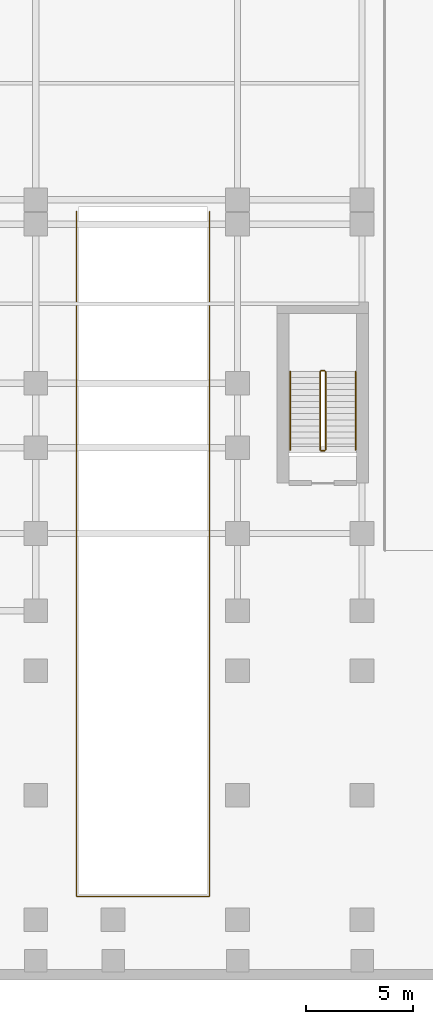
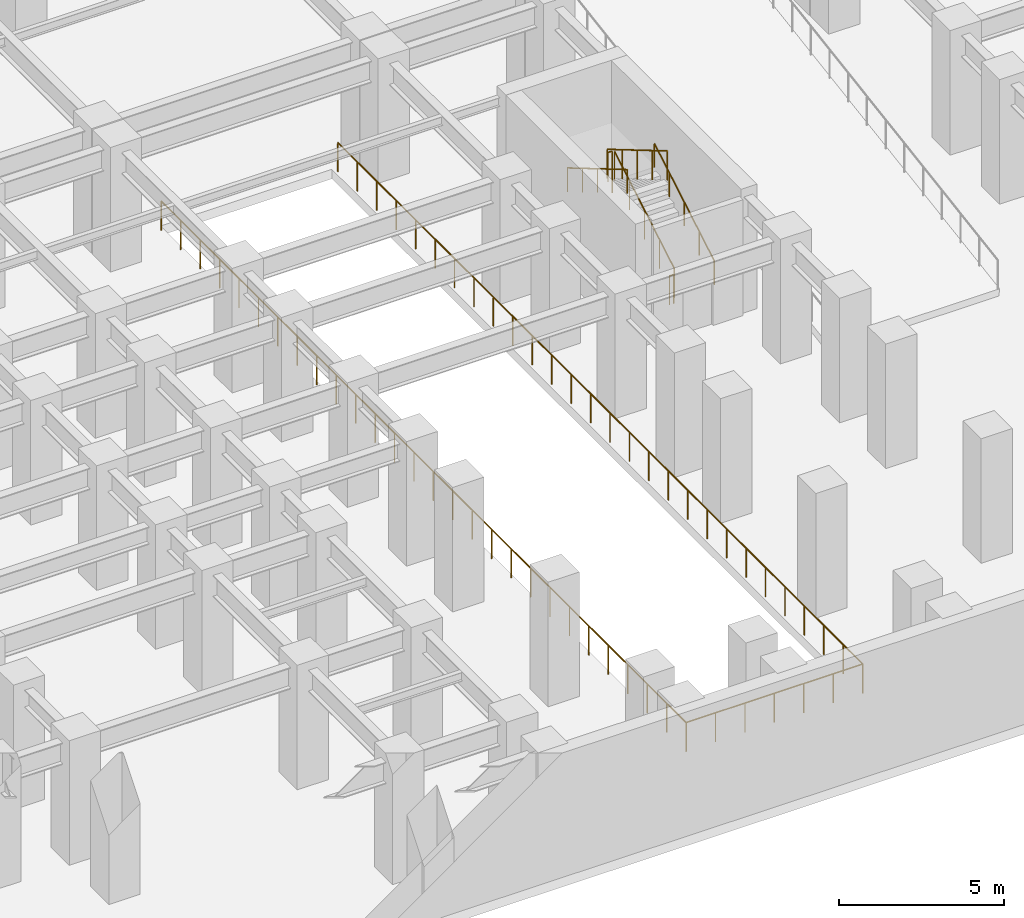
# One storey, part 10 of 12: 7 railings.
"""IFC4 building model written with IfcOpenShell, lengths in metres."""

from ifc_helpers import new_model, si_unit, direction, frame, origin, origin_2d, place, context, subcontext, project, spatial, circle, extrude, material, type_object, element, save


model = new_model("IFC4")

# Units and contexts
model_context = context("Model", 3, precision=1e-05, world=origin(), true_north=direction((0.0, 1.0)))
body_context = subcontext(model_context, "Body", "Model", "MODEL_VIEW")
ifc_project = project(units=[si_unit("LENGTHUNIT", "METRE"), si_unit("AREAUNIT", "SQUARE_METRE"), si_unit("VOLUMEUNIT", "CUBIC_METRE"), si_unit("PLANEANGLEUNIT", "RADIAN"), si_unit("MASSUNIT", "GRAM", prefix="KILO")], contexts=[model_context])

# Site, building, storey
site_placement = place(None, origin())
site = spatial("IfcSite", under=ifc_project, at=site_placement, CompositionType="ELEMENT")
building_placement = place(site_placement, origin())
building = spatial("IfcBuilding", under=site, at=building_placement, Name="Kefirva Bronze Tower", CompositionType="ELEMENT")
storey_placement = place(building_placement, frame((0.0, 0.0, -4.6201171875)))
storey = spatial("IfcBuildingStorey", under=building, at=storey_placement, Name="B1", CompositionType="ELEMENT", Elevation=-4.6201171875)

# Railings
ifc_material = material(Name="Stainless steel 316", Category="steel")
railing_type_1 = type_object("IfcRailingType", Name="Interior Stair Guardrail 1100mm", PredefinedType="GUARDRAIL", material=ifc_material)
railing_1_placement = place(storey_placement, frame((53.5, 22.699951171875, 0.1650390625)))
element("IfcRailing", 1, at=railing_1_placement, inside=storey, type_object=railing_type_1, Name="B1 ST-4 stair guard 1", PredefinedType="GUARDRAIL", context=body_context, shape_type="SweptSolid", body=[
    extrude(circle(Radius=0.02392578125, at=origin_2d()), frame((0.0, 0.0, 1.076171875), z_axis=(0.0, 0.861544779993, 0.507681585313), x_axis=(-1.0, 0.0, 0.0)), (0.0, 0.0, 1.0), 4.22509765625),
    extrude(circle(Radius=0.02099609375, at=origin_2d()), origin(), (0.0, 0.0, 1.0), 1.052001953125),
    extrude(circle(Radius=0.02099609375, at=origin_2d()), frame((0.0, 0.91015625, 0.5361328125)), (0.0, 0.0, 1.0), 1.052001953125),
    extrude(circle(Radius=0.02099609375, at=origin_2d()), frame((0.0, 1.820068359375, 1.072509765625)), (0.0, 0.0, 1.0), 1.052001953125),
    extrude(circle(Radius=0.02099609375, at=origin_2d()), frame((0.0, 2.72998046875, 1.60888671875)), (0.0, 0.0, 1.0), 1.052001953125),
    extrude(circle(Radius=0.02099609375, at=origin_2d()), frame((0.0, 3.64013671875, 2.14501953125)), (0.0, 0.0, 1.0), 1.052001953125),
])
railing_2_placement = place(storey_placement, frame((53.449951171875, 26.389892578125, 2.31005859375)))
element("IfcRailing", 2, at=railing_2_placement, inside=storey, type_object=railing_type_1, Name="B1 ST-4 stair guard 2", PredefinedType="GUARDRAIL", context=body_context, shape_type="SweptSolid", body=[
    extrude(circle(Radius=0.02392578125, at=origin_2d()), frame((0.0, 0.0, 1.076171875), z_axis=(-1.0, 0.0, 0.0), x_axis=(0.0, -1.0, 0.0)), (0.0, 0.0, 1.0), 0.14990234375),
    extrude(circle(Radius=0.02099609375, at=origin_2d()), origin(), (0.0, 0.0, 1.0), 1.052001953125),
    extrude(circle(Radius=0.02099609375, at=origin_2d()), frame((-0.14990234375, 0.0, 0.0)), (0.0, 0.0, 1.0), 1.052001953125),
])
railing_3_placement = place(storey_placement, frame((53.25, 26.340087890625, 2.47509765625)))
element("IfcRailing", 3, at=railing_3_placement, inside=storey, type_object=railing_type_1, Name="B1 ST-4 stair guard 3", PredefinedType="GUARDRAIL", context=body_context, shape_type="SweptSolid", body=[
    extrude(circle(Radius=0.02392578125, at=origin_2d()), frame((0.0, 0.0, 1.076171875), z_axis=(0.0, -0.861544779993, 0.507681585313), x_axis=(1.0, 0.0, 0.0)), (0.0, 0.0, 1.0), 4.22509765625),
    extrude(circle(Radius=0.02099609375, at=origin_2d()), origin(), (0.0, 0.0, 1.0), 1.052001953125),
    extrude(circle(Radius=0.02099609375, at=origin_2d()), frame((0.0, -0.91015625, 0.5361328125)), (0.0, 0.0, 1.0), 1.052001953125),
    extrude(circle(Radius=0.02099609375, at=origin_2d()), frame((0.0, -1.820068359375, 1.072509765625)), (0.0, 0.0, 1.0), 1.052001953125),
    extrude(circle(Radius=0.02099609375, at=origin_2d()), frame((0.0, -2.72998046875, 1.60888671875)), (0.0, 0.0, 1.0), 1.052001953125),
    extrude(circle(Radius=0.02099609375, at=origin_2d()), frame((0.0, -3.64013671875, 2.14501953125)), (0.0, 0.0, 1.0), 1.052001953125),
])
railing_4_placement = place(storey_placement, frame((53.449951171875, 22.64990234375, 0.0)))
element("IfcRailing", 4, at=railing_4_placement, inside=storey, type_object=railing_type_1, Name="B1 ST-4 stair guard 4", PredefinedType="GUARDRAIL", context=body_context, shape_type="SweptSolid", body=[
    extrude(circle(Radius=0.02392578125, at=origin_2d()), frame((0.0, 0.0, 1.076171875), z_axis=(-1.0, 0.0, 0.0), x_axis=(0.0, -1.0, 0.0)), (0.0, 0.0, 1.0), 0.14990234375),
    extrude(circle(Radius=0.02099609375, at=origin_2d()), origin(), (0.0, 0.0, 1.0), 1.052001953125),
    extrude(circle(Radius=0.02099609375, at=origin_2d()), frame((-0.14990234375, 0.0, 0.0)), (0.0, 0.0, 1.0), 1.052001953125),
])
railing_5_placement = place(storey_placement, frame((41.89990234375, 33.800048828125, 0.0)))
element("IfcRailing", 5, at=railing_5_placement, inside=storey, type_object=railing_type_1, Name="B1 Car Ramp Well Guardrail", PredefinedType="GUARDRAIL", context=body_context, shape_type="SweptSolid", body=[
    extrude(circle(Radius=0.02392578125, at=origin_2d()), frame((0.0, 0.0, 1.076171875), z_axis=(0.0, -1.0, 0.0), x_axis=(1.0, 0.0, 0.0)), (0.0, 0.0, 1.0), 31.900146484375),
    extrude(circle(Radius=0.02392578125, at=origin_2d()), frame((0.0, -31.900146484375, 1.076171875), z_axis=(1.0, 0.0, 0.0), x_axis=(0.0, 1.0, 0.0)), (0.0, 0.0, 1.0), 6.2001953125),
    extrude(circle(Radius=0.02392578125, at=origin_2d()), frame((6.2001953125, -31.900146484375, 1.076171875), z_axis=(0.0, 1.0, 0.0), x_axis=(-1.0, 0.0, 0.0)), (0.0, 0.0, 1.0), 31.900146484375),
    extrude(circle(Radius=0.02099609375, at=origin_2d()), origin(), (0.0, 0.0, 1.0), 1.052001953125),
    extrude(circle(Radius=0.02099609375, at=origin_2d()), frame((0.0, -1.181396484375, 0.0)), (0.0, 0.0, 1.0), 1.052001953125),
    extrude(circle(Radius=0.02099609375, at=origin_2d()), frame((0.0, -2.363037109375, 0.0)), (0.0, 0.0, 1.0), 1.052001953125),
    extrude(circle(Radius=0.02099609375, at=origin_2d()), frame((0.0, -3.54443359375, 0.0)), (0.0, 0.0, 1.0), 1.052001953125),
    extrude(circle(Radius=0.02099609375, at=origin_2d()), frame((0.0, -4.725830078125, 0.0)), (0.0, 0.0, 1.0), 1.052001953125),
    extrude(circle(Radius=0.02099609375, at=origin_2d()), frame((0.0, -5.907470703125, 0.0)), (0.0, 0.0, 1.0), 1.052001953125),
    extrude(circle(Radius=0.02099609375, at=origin_2d()), frame((0.0, -7.0888671875, 0.0)), (0.0, 0.0, 1.0), 1.052001953125),
    extrude(circle(Radius=0.02099609375, at=origin_2d()), frame((0.0, -8.2705078125, 0.0)), (0.0, 0.0, 1.0), 1.052001953125),
    extrude(circle(Radius=0.02099609375, at=origin_2d()), frame((0.0, -9.451904296875, 0.0)), (0.0, 0.0, 1.0), 1.052001953125),
    extrude(circle(Radius=0.02099609375, at=origin_2d()), frame((0.0, -10.63330078125, 0.0)), (0.0, 0.0, 1.0), 1.052001953125),
    extrude(circle(Radius=0.02099609375, at=origin_2d()), frame((0.0, -11.81494140625, 0.0)), (0.0, 0.0, 1.0), 1.052001953125),
    extrude(circle(Radius=0.02099609375, at=origin_2d()), frame((0.0, -12.996337890625, 0.0)), (0.0, 0.0, 1.0), 1.052001953125),
    extrude(circle(Radius=0.02099609375, at=origin_2d()), frame((0.0, -14.177734375, 0.0)), (0.0, 0.0, 1.0), 1.052001953125),
    extrude(circle(Radius=0.02099609375, at=origin_2d()), frame((0.0, -15.359375, 0.0)), (0.0, 0.0, 1.0), 1.052001953125),
    extrude(circle(Radius=0.02099609375, at=origin_2d()), frame((0.0, -16.540771484375, 0.0)), (0.0, 0.0, 1.0), 1.052001953125),
    extrude(circle(Radius=0.02099609375, at=origin_2d()), frame((0.0, -17.722412109375, 0.0)), (0.0, 0.0, 1.0), 1.052001953125),
    extrude(circle(Radius=0.02099609375, at=origin_2d()), frame((0.0, -18.90380859375, 0.0)), (0.0, 0.0, 1.0), 1.052001953125),
    extrude(circle(Radius=0.02099609375, at=origin_2d()), frame((0.0, -20.085205078125, 0.0)), (0.0, 0.0, 1.0), 1.052001953125),
    extrude(circle(Radius=0.02099609375, at=origin_2d()), frame((0.0, -21.266845703125, 0.0)), (0.0, 0.0, 1.0), 1.052001953125),
    extrude(circle(Radius=0.02099609375, at=origin_2d()), frame((0.0, -22.4482421875, 0.0)), (0.0, 0.0, 1.0), 1.052001953125),
    extrude(circle(Radius=0.02099609375, at=origin_2d()), frame((0.0, -23.629638671875, 0.0)), (0.0, 0.0, 1.0), 1.052001953125),
    extrude(circle(Radius=0.02099609375, at=origin_2d()), frame((0.0, -24.811279296875, 0.0)), (0.0, 0.0, 1.0), 1.052001953125),
    extrude(circle(Radius=0.02099609375, at=origin_2d()), frame((0.0, -25.99267578125, 0.0)), (0.0, 0.0, 1.0), 1.052001953125),
    extrude(circle(Radius=0.02099609375, at=origin_2d()), frame((0.0, -27.17431640625, 0.0)), (0.0, 0.0, 1.0), 1.052001953125),
    extrude(circle(Radius=0.02099609375, at=origin_2d()), frame((0.0, -28.355712890625, 0.0)), (0.0, 0.0, 1.0), 1.052001953125),
    extrude(circle(Radius=0.02099609375, at=origin_2d()), frame((0.0, -29.537109375, 0.0)), (0.0, 0.0, 1.0), 1.052001953125),
    extrude(circle(Radius=0.02099609375, at=origin_2d()), frame((0.0, -30.71875, 0.0)), (0.0, 0.0, 1.0), 1.052001953125),
    extrude(circle(Radius=0.02099609375, at=origin_2d()), frame((0.0, -31.900146484375, 0.0)), (0.0, 0.0, 1.0), 1.052001953125),
    extrude(circle(Radius=0.02099609375, at=origin_2d()), frame((1.033447265625, -31.900146484375, 0.0)), (0.0, 0.0, 1.0), 1.052001953125),
    extrude(circle(Radius=0.02099609375, at=origin_2d()), frame((2.066650390625, -31.900146484375, 0.0)), (0.0, 0.0, 1.0), 1.052001953125),
    extrude(circle(Radius=0.02099609375, at=origin_2d()), frame((3.10009765625, -31.900146484375, 0.0)), (0.0, 0.0, 1.0), 1.052001953125),
    extrude(circle(Radius=0.02099609375, at=origin_2d()), frame((4.133544921875, -31.900146484375, 0.0)), (0.0, 0.0, 1.0), 1.052001953125),
    extrude(circle(Radius=0.02099609375, at=origin_2d()), frame((5.166748046875, -31.900146484375, 0.0)), (0.0, 0.0, 1.0), 1.052001953125),
    extrude(circle(Radius=0.02099609375, at=origin_2d()), frame((6.2001953125, -31.900146484375, 0.0)), (0.0, 0.0, 1.0), 1.052001953125),
    extrude(circle(Radius=0.02099609375, at=origin_2d()), frame((6.2001953125, -30.71875, 0.0)), (0.0, 0.0, 1.0), 1.052001953125),
    extrude(circle(Radius=0.02099609375, at=origin_2d()), frame((6.2001953125, -29.537109375, 0.0)), (0.0, 0.0, 1.0), 1.052001953125),
    extrude(circle(Radius=0.02099609375, at=origin_2d()), frame((6.2001953125, -28.355712890625, 0.0)), (0.0, 0.0, 1.0), 1.052001953125),
    extrude(circle(Radius=0.02099609375, at=origin_2d()), frame((6.2001953125, -27.17431640625, 0.0)), (0.0, 0.0, 1.0), 1.052001953125),
    extrude(circle(Radius=0.02099609375, at=origin_2d()), frame((6.2001953125, -25.99267578125, 0.0)), (0.0, 0.0, 1.0), 1.052001953125),
    extrude(circle(Radius=0.02099609375, at=origin_2d()), frame((6.2001953125, -24.811279296875, 0.0)), (0.0, 0.0, 1.0), 1.052001953125),
    extrude(circle(Radius=0.02099609375, at=origin_2d()), frame((6.2001953125, -23.629638671875, 0.0)), (0.0, 0.0, 1.0), 1.052001953125),
    extrude(circle(Radius=0.02099609375, at=origin_2d()), frame((6.2001953125, -22.4482421875, 0.0)), (0.0, 0.0, 1.0), 1.052001953125),
    extrude(circle(Radius=0.02099609375, at=origin_2d()), frame((6.2001953125, -21.266845703125, 0.0)), (0.0, 0.0, 1.0), 1.052001953125),
    extrude(circle(Radius=0.02099609375, at=origin_2d()), frame((6.2001953125, -20.085205078125, 0.0)), (0.0, 0.0, 1.0), 1.052001953125),
    extrude(circle(Radius=0.02099609375, at=origin_2d()), frame((6.2001953125, -18.90380859375, 0.0)), (0.0, 0.0, 1.0), 1.052001953125),
    extrude(circle(Radius=0.02099609375, at=origin_2d()), frame((6.2001953125, -17.722412109375, 0.0)), (0.0, 0.0, 1.0), 1.052001953125),
    extrude(circle(Radius=0.02099609375, at=origin_2d()), frame((6.2001953125, -16.540771484375, 0.0)), (0.0, 0.0, 1.0), 1.052001953125),
    extrude(circle(Radius=0.02099609375, at=origin_2d()), frame((6.2001953125, -15.359375, 0.0)), (0.0, 0.0, 1.0), 1.052001953125),
    extrude(circle(Radius=0.02099609375, at=origin_2d()), frame((6.2001953125, -14.177734375, 0.0)), (0.0, 0.0, 1.0), 1.052001953125),
    extrude(circle(Radius=0.02099609375, at=origin_2d()), frame((6.2001953125, -12.996337890625, 0.0)), (0.0, 0.0, 1.0), 1.052001953125),
    extrude(circle(Radius=0.02099609375, at=origin_2d()), frame((6.2001953125, -11.81494140625, 0.0)), (0.0, 0.0, 1.0), 1.052001953125),
    extrude(circle(Radius=0.02099609375, at=origin_2d()), frame((6.2001953125, -10.63330078125, 0.0)), (0.0, 0.0, 1.0), 1.052001953125),
    extrude(circle(Radius=0.02099609375, at=origin_2d()), frame((6.2001953125, -9.451904296875, 0.0)), (0.0, 0.0, 1.0), 1.052001953125),
    extrude(circle(Radius=0.02099609375, at=origin_2d()), frame((6.2001953125, -8.2705078125, 0.0)), (0.0, 0.0, 1.0), 1.052001953125),
    extrude(circle(Radius=0.02099609375, at=origin_2d()), frame((6.2001953125, -7.0888671875, 0.0)), (0.0, 0.0, 1.0), 1.052001953125),
    extrude(circle(Radius=0.02099609375, at=origin_2d()), frame((6.2001953125, -5.907470703125, 0.0)), (0.0, 0.0, 1.0), 1.052001953125),
    extrude(circle(Radius=0.02099609375, at=origin_2d()), frame((6.2001953125, -4.725830078125, 0.0)), (0.0, 0.0, 1.0), 1.052001953125),
    extrude(circle(Radius=0.02099609375, at=origin_2d()), frame((6.2001953125, -3.54443359375, 0.0)), (0.0, 0.0, 1.0), 1.052001953125),
    extrude(circle(Radius=0.02099609375, at=origin_2d()), frame((6.2001953125, -2.363037109375, 0.0)), (0.0, 0.0, 1.0), 1.052001953125),
    extrude(circle(Radius=0.02099609375, at=origin_2d()), frame((6.2001953125, -1.181396484375, 0.0)), (0.0, 0.0, 1.0), 1.052001953125),
    extrude(circle(Radius=0.02099609375, at=origin_2d()), frame((6.2001953125, 0.0, 0.0)), (0.0, 0.0, 1.0), 1.052001953125),
])
railing_type_2 = type_object("IfcRailingType", Name="Stair Pitch Handrail 900mm", PredefinedType="HANDRAIL", material=ifc_material)
railing_6_placement = place(storey_placement, frame((54.89990234375, 22.699951171875, 0.1650390625)))
element("IfcRailing", 6, at=railing_6_placement, inside=storey, type_object=railing_type_2, Name="B1 ST-4 stair handrail 1", PredefinedType="HANDRAIL", context=body_context, shape_type="SweptSolid", body=[
    extrude(circle(Radius=0.02392578125, at=origin_2d()), frame((0.0, 0.0, 0.8759765625), z_axis=(0.0, 0.861544779993, 0.507681585313), x_axis=(-1.0, 0.0, 0.0)), (0.0, 0.0, 1.0), 4.22509765625),
    extrude(circle(Radius=0.02099609375, at=origin_2d()), origin(), (0.0, 0.0, 1.0), 0.851806640625),
    extrude(circle(Radius=0.02099609375, at=origin_2d()), frame((0.0, 0.91015625, 0.5361328125)), (0.0, 0.0, 1.0), 0.851806640625),
    extrude(circle(Radius=0.02099609375, at=origin_2d()), frame((0.0, 1.820068359375, 1.072509765625)), (0.0, 0.0, 1.0), 0.851806640625),
    extrude(circle(Radius=0.02099609375, at=origin_2d()), frame((0.0, 2.72998046875, 1.60888671875)), (0.0, 0.0, 1.0), 0.851806640625),
    extrude(circle(Radius=0.02099609375, at=origin_2d()), frame((0.0, 3.64013671875, 2.14501953125)), (0.0, 0.0, 1.0), 0.851806640625),
])
railing_7_placement = place(storey_placement, frame((51.85009765625, 26.340087890625, 2.47509765625)))
element("IfcRailing", 7, at=railing_7_placement, inside=storey, type_object=railing_type_2, Name="B1 ST-4 stair handrail 2", PredefinedType="HANDRAIL", context=body_context, shape_type="SweptSolid", body=[
    extrude(circle(Radius=0.02392578125, at=origin_2d()), frame((0.0, 0.0, 0.8759765625), z_axis=(0.0, -0.861544779993, 0.507681585313), x_axis=(1.0, 0.0, 0.0)), (0.0, 0.0, 1.0), 4.22509765625),
    extrude(circle(Radius=0.02099609375, at=origin_2d()), origin(), (0.0, 0.0, 1.0), 0.851806640625),
    extrude(circle(Radius=0.02099609375, at=origin_2d()), frame((0.0, -0.91015625, 0.5361328125)), (0.0, 0.0, 1.0), 0.851806640625),
    extrude(circle(Radius=0.02099609375, at=origin_2d()), frame((0.0, -1.820068359375, 1.072509765625)), (0.0, 0.0, 1.0), 0.851806640625),
    extrude(circle(Radius=0.02099609375, at=origin_2d()), frame((0.0, -2.72998046875, 1.60888671875)), (0.0, 0.0, 1.0), 0.851806640625),
    extrude(circle(Radius=0.02099609375, at=origin_2d()), frame((0.0, -3.64013671875, 2.14501953125)), (0.0, 0.0, 1.0), 0.851806640625),
])

save(model, "model.ifc")
